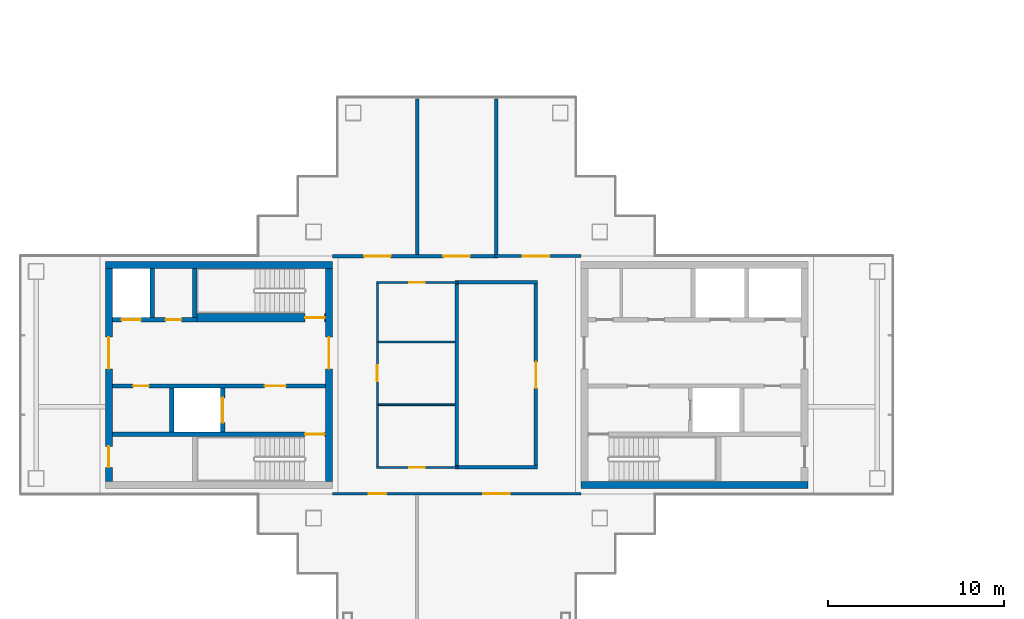
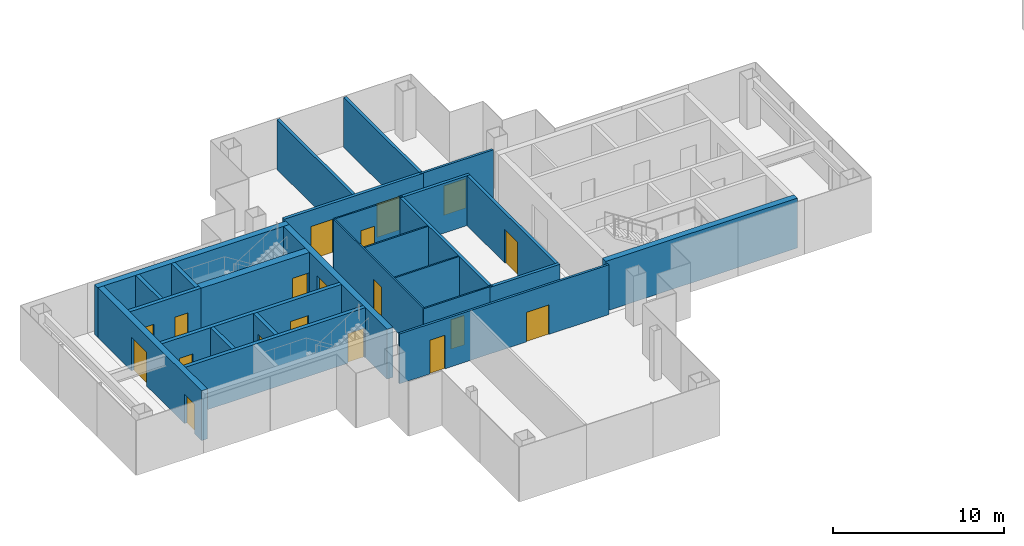
# One storey, part 9 of 16: 26 walls, 19 doors, 19 openings.
"""IFC4 building model written with IfcOpenShell, lengths in metres."""

from ifc_helpers import new_model, si_unit, direction, frame, frame_2d, origin, place, context, subcontext, project, spatial, rectangle, extrude, material, layer, layer_set, type_object, element, fill, save


model = new_model("IFC4")

# Units and contexts
model_context = context("Model", 3, precision=1e-05, world=origin(), true_north=direction((0.0, 1.0)))
body_context = subcontext(model_context, "Body", "Model", "MODEL_VIEW")
ifc_project = project(units=[si_unit("LENGTHUNIT", "METRE"), si_unit("AREAUNIT", "SQUARE_METRE"), si_unit("VOLUMEUNIT", "CUBIC_METRE"), si_unit("PLANEANGLEUNIT", "RADIAN"), si_unit("MASSUNIT", "GRAM", prefix="KILO")], contexts=[model_context])

# Site, building, storey
site_placement = place(None, origin())
site = spatial("IfcSite", under=ifc_project, at=site_placement, CompositionType="ELEMENT")
building_placement = place(site_placement, origin())
building = spatial("IfcBuilding", under=site, at=building_placement, Name="Shamsa Quay Exchange Towers", CompositionType="ELEMENT")
storey_placement = place(building_placement, frame((0.0, 0.0, 246.0)))
storey = spatial("IfcBuildingStorey", under=building, at=storey_placement, Name="L59", CompositionType="ELEMENT", Elevation=246.0)

# Wall
ifc_material_1 = material(Name="Double-leaf gypsum board partition with acoustic insulation")
ifc_layer_1 = layer(ifc_material_1, 0.199951171875)
ifc_layer_set_1 = layer_set([ifc_layer_1], Name="Acoustic partition 200 mm EI 60")
wall_type_1 = type_object("IfcWallType", Name="Acoustic partition 200 mm EI 60", PredefinedType="PARTITIONING", material=ifc_layer_set_1)
wall_1_placement = place(storey_placement, frame((-33.85009765625, -5.25, 0.0)))
element("IfcWall", 1, at=wall_1_placement, inside=storey, type_object=wall_type_1, Name="Partition T1-R26-W04", PredefinedType="PARTITIONING", context=body_context, shape_type="SweptSolid", body=[
    extrude(rectangle(XDim=4.7001953125, YDim=0.199951171875, at=frame_2d((2.35009765625, 0.0))), origin(), (0.0, 0.0, 1.0), 3.550048828125),
])

# Wall, opening, door
wall_2_placement = place(storey_placement, frame((-29.25, -5.14990234375, 0.0), z_axis=(0.0, 0.0, 1.0), x_axis=(0.0, 1.0, 0.0)))
wall_2 = element("IfcWall", 2, at=wall_2_placement, inside=storey, type_object=wall_type_1, Name="Partition T1-R26-W05", PredefinedType="PARTITIONING", context=body_context, shape_type="SweptSolid", body=[
    extrude(rectangle(XDim=10.2998046875, YDim=0.199951171875, at=frame_2d((5.14990234375, 0.0))), origin(), (0.0, 0.0, 1.0), 3.550048828125),
])
opening_1_placement = place(wall_2_placement, frame((4.39990234375, 0.0, 0.0)))
opening_1 = element("IfcOpeningElement", 3, at=opening_1_placement, cuts=wall_2, Name="Opening T1-R26-D07", PredefinedType="OPENING", context=body_context, shape_type="SweptSolid", body=[
    extrude(rectangle(XDim=1.5, YDim=2.39990234375, at=frame_2d((0.75, 1.199951171875))), frame((0.0, 0.10986328125, 0.0), z_axis=(0.0, -1.0, 0.0), x_axis=(1.0, 0.0, 0.0)), (0.0, 0.0, 1.0), 0.219970703125),
])
ifc_material_2 = material(Name="Timber door leaf in a metal frame", Category="wood")
door_type_1 = type_object("IfcDoorType", Name="Door 1500x2400 FD30S pair", OperationType="NOTDEFINED", PredefinedType="DOOR", material=ifc_material_2)
door_1_placement = place(opening_1_placement, origin())
door_1 = element("IfcDoor", 4, at=door_1_placement, inside=storey, type_object=door_type_1, Name="Door T1-R26-D07", OperationType="DOUBLE_DOOR_SINGLE_SWING", OverallHeight=2.39990234375, OverallWidth=1.5, PredefinedType="DOOR", context=body_context, shape_type="SweptSolid", body=[
    extrude(rectangle(XDim=1.5, YDim=2.39990234375, at=frame_2d((0.75, 1.199951171875))), frame((0.0, 0.02490234375, 0.0), z_axis=(0.0, -1.0, 0.0), x_axis=(1.0, 0.0, 0.0)), (0.0, 0.0, 1.0), 0.050048828125),
])
fill(opening_1, door_1)

# Wall
wall_3_placement = place(storey_placement, frame((-29.14990234375, 5.25, 0.0), z_axis=(0.0, 0.0, 1.0), x_axis=(-1.0, 0.0, 0.0)))
element("IfcWall", 5, at=wall_3_placement, inside=storey, type_object=wall_type_1, Name="Partition T1-R26-W06", PredefinedType="PARTITIONING", context=body_context, shape_type="SweptSolid", body=[
    extrude(rectangle(XDim=4.7001953125, YDim=0.199951171875, at=frame_2d((2.35009765625, 0.0))), origin(), (0.0, 0.0, 1.0), 3.550048828125),
])

# Wall, openings, doors
wall_4_placement = place(storey_placement, frame((-40.800048828125, 6.75, 0.0)))
wall_4 = element("IfcWall", 6, at=wall_4_placement, inside=storey, type_object=wall_type_1, Name="Partition T1-R26-W07", PredefinedType="PARTITIONING", context=body_context, shape_type="SweptSolid", body=[
    extrude(rectangle(XDim=9.400146484375, YDim=0.199951171875, at=frame_2d((4.7001953125, 0.0))), origin(), (0.0, 0.0, 1.0), 3.550048828125),
])
opening_2_placement = place(wall_4_placement, frame((1.800048828125, 0.0, 0.0)))
opening_2 = element("IfcOpeningElement", 7, at=opening_2_placement, cuts=wall_4, Name="Opening T1-R26-D01", PredefinedType="OPENING", context=body_context, shape_type="SweptSolid", body=[
    extrude(rectangle(XDim=1.5, YDim=2.39990234375, at=frame_2d((0.75, 1.199951171875))), frame((0.0, 0.10986328125, 0.0), z_axis=(0.0, -1.0, 0.0), x_axis=(1.0, 0.0, 0.0)), (0.0, 0.0, 1.0), 0.219970703125),
])
opening_3_placement = place(wall_4_placement, frame((6.300048828125, 0.0, 0.0)))
opening_3 = element("IfcOpeningElement", 8, at=opening_3_placement, cuts=wall_4, Name="Opening T1-R26-D02", PredefinedType="OPENING", context=body_context, shape_type="SweptSolid", body=[
    extrude(rectangle(XDim=1.5, YDim=2.39990234375, at=frame_2d((0.75, 1.199951171875))), frame((0.0, 0.10986328125, 0.0), z_axis=(0.0, -1.0, 0.0), x_axis=(1.0, 0.0, 0.0)), (0.0, 0.0, 1.0), 0.219970703125),
])
door_2_placement = place(opening_2_placement, origin())
door_2 = element("IfcDoor", 9, at=door_2_placement, inside=storey, type_object=door_type_1, Name="Door T1-R26-D01", OperationType="DOUBLE_DOOR_SINGLE_SWING", OverallHeight=2.39990234375, OverallWidth=1.5, PredefinedType="DOOR", context=body_context, shape_type="SweptSolid", body=[
    extrude(rectangle(XDim=1.5, YDim=2.39990234375, at=frame_2d((0.75, 1.199951171875))), frame((0.0, 0.02490234375, 0.0), z_axis=(0.0, -1.0, 0.0), x_axis=(1.0, 0.0, 0.0)), (0.0, 0.0, 1.0), 0.050048828125),
])
fill(opening_2, door_2)
door_3_placement = place(opening_3_placement, origin())
door_3 = element("IfcDoor", 10, at=door_3_placement, inside=storey, type_object=door_type_1, Name="Door T1-R26-D02", OperationType="DOUBLE_DOOR_SINGLE_SWING", OverallHeight=2.39990234375, OverallWidth=1.5, PredefinedType="DOOR", context=body_context, shape_type="SweptSolid", body=[
    extrude(rectangle(XDim=1.5, YDim=2.39990234375, at=frame_2d((0.75, 1.199951171875))), frame((0.0, 0.02490234375, 0.0), z_axis=(0.0, -1.0, 0.0), x_axis=(1.0, 0.0, 0.0)), (0.0, 0.0, 1.0), 0.050048828125),
])
fill(opening_3, door_3)

# Walls
wall_5_placement = place(storey_placement, frame((-33.75, -5.14990234375, 0.0), z_axis=(0.0, 0.0, 1.0), x_axis=(0.0, 1.0, 0.0)))
element("IfcWall", 11, at=wall_5_placement, inside=storey, type_object=wall_type_1, Name="Partition T1-R26-W11", PredefinedType="PARTITIONING", context=body_context, shape_type="SweptSolid", body=[
    extrude(rectangle(XDim=10.2998046875, YDim=0.199951171875, at=frame_2d((5.14990234375, 0.0))), origin(), (0.0, 0.0, 1.0), 3.550048828125),
])
for number, where, z_axis, x_axis, name in (
    (12, (-36.0, 6.85009765625, 0.0), (0.0, 0.0, 1.0), (0.0, 1.0, 0.0), "Partition T1-R26-W13"),
    (13, (-31.5, 6.85009765625, 0.0), (0.0, 0.0, 1.0), (0.0, 1.0, 0.0), "Partition T1-R26-W14"),
):
    element("IfcWall", number, at=place(storey_placement, frame(where, z_axis=z_axis, x_axis=x_axis)), inside=storey, type_object=wall_type_1, Name=name, PredefinedType="PARTITIONING", context=body_context, shape_type="SweptSolid", body=[
        extrude(rectangle(XDim=8.804931640625, YDim=0.199951171875, at=frame_2d((4.40234375, 0.0))), origin(), (0.0, 0.0, 1.0), 3.550048828125),
    ])
ifc_material_3 = material(Name="Concrete C60/75", Category="concrete")
ifc_layer_2 = layer(ifc_material_3, 0.39990234375)
ifc_layer_set_2 = layer_set([ifc_layer_2], Name="CORE WALL 400 C60/75")
wall_type_2 = type_object("IfcWallType", Name="CORE WALL 400 C60/75", PredefinedType="SHEAR", material=ifc_layer_set_2)
wall_6_placement = place(storey_placement, frame((-26.699951171875, -6.25, 0.0)))
element("IfcWall", 14, at=wall_6_placement, inside=storey, type_object=wall_type_2, Name="Core wall T1A-R26-PS", PredefinedType="SHEAR", context=body_context, shape_type="SweptSolid", body=[
    extrude(rectangle(XDim=12.89990234375, YDim=0.39990234375, at=frame_2d((6.449951171875, 0.0))), origin(), (0.0, 0.0, 1.0), 3.550048828125),
])
wall_7_placement = place(storey_placement, frame((-40.800048828125, 6.25, 0.0), z_axis=(0.0, 0.0, 1.0), x_axis=(-1.0, 0.0, 0.0)))
element("IfcWall", 15, at=wall_7_placement, inside=storey, type_object=wall_type_2, Name="Core wall T1B-R26-PN", PredefinedType="SHEAR", context=body_context, shape_type="SweptSolid", body=[
    extrude(rectangle(XDim=12.89990234375, YDim=0.39990234375, at=frame_2d((6.449951171875, 0.0))), origin(), (0.0, 0.0, 1.0), 3.550048828125),
])

# Wall, opening, door
wall_8_placement = place(storey_placement, frame((-41.0, -6.050048828125, 0.0), z_axis=(0.0, 0.0, 1.0), x_axis=(0.0, 1.0, 0.0)))
wall_8 = element("IfcWall", 16, at=wall_8_placement, inside=storey, type_object=wall_type_2, Name="Core wall T1B-R26-PF", PredefinedType="SHEAR", context=body_context, shape_type="SweptSolid", body=[
    extrude(rectangle(XDim=12.10009765625, YDim=0.39990234375, at=frame_2d((6.050048828125, 0.0))), origin(), (0.0, 0.0, 1.0), 3.550048828125),
])
opening_4_placement = place(wall_8_placement, frame((6.39990234375, 0.0, 0.0)))
opening_4 = element("IfcOpeningElement", 17, at=opening_4_placement, cuts=wall_8, Name="Opening T1B-R26-LBD01", PredefinedType="OPENING", context=body_context, shape_type="SweptSolid", body=[
    extrude(rectangle(XDim=1.800048828125, YDim=2.39990234375, at=frame_2d((0.89990234375, 1.199951171875))), frame((0.0, 0.2099609375, 0.0), z_axis=(0.0, -1.0, 0.0), x_axis=(1.0, 0.0, 0.0)), (0.0, 0.0, 1.0), 0.419921875),
])
ifc_material_4 = material(Name="Steel, fire rated", Category="steel")
door_type_2 = type_object("IfcDoorType", Name="LIFT LOBBY DOOR PAIR 1800", OperationType="DOUBLE_DOOR_SINGLE_SWING", PredefinedType="DOOR", material=ifc_material_4)
door_4_placement = place(opening_4_placement, origin())
door_4 = element("IfcDoor", 18, at=door_4_placement, inside=storey, type_object=door_type_2, Name="T1B-R26-LBD01", OperationType="DOUBLE_DOOR_SINGLE_SWING", OverallHeight=2.39990234375, OverallWidth=1.800048828125, PredefinedType="DOOR", context=body_context, shape_type="SweptSolid", body=[
    extrude(rectangle(XDim=1.800048828125, YDim=2.39990234375, at=frame_2d((0.89990234375, 1.199951171875))), frame((0.0, 0.02490234375, 0.0), z_axis=(0.0, -1.0, 0.0), x_axis=(1.0, 0.0, 0.0)), (0.0, 0.0, 1.0), 0.050048828125),
])
fill(opening_4, door_4)

# Wall, openings, doors
wall_9_placement = place(storey_placement, frame((-53.5, -6.050048828125, 0.0), z_axis=(0.0, 0.0, 1.0), x_axis=(0.0, 1.0, 0.0)))
wall_9 = element("IfcWall", 19, at=wall_9_placement, inside=storey, type_object=wall_type_2, Name="Core wall T1B-R26-PB", PredefinedType="SHEAR", context=body_context, shape_type="SweptSolid", body=[
    extrude(rectangle(XDim=12.10009765625, YDim=0.39990234375, at=frame_2d((6.050048828125, 0.0))), origin(), (0.0, 0.0, 1.0), 3.550048828125),
])
opening_5_placement = place(wall_9_placement, frame((0.800048828125, 0.0, 0.0)))
opening_5 = element("IfcOpeningElement", 20, at=opening_5_placement, cuts=wall_9, Name="Opening T1B-R26-RD02", PredefinedType="OPENING", context=body_context, shape_type="SweptSolid", body=[
    extrude(rectangle(XDim=1.199951171875, YDim=2.10009765625, at=frame_2d((0.60009765625, 1.050048828125))), frame((0.0, 0.2099609375, 0.0), z_axis=(0.0, -1.0, 0.0), x_axis=(1.0, 0.0, 0.0)), (0.0, 0.0, 1.0), 0.419921875),
])
opening_6_placement = place(wall_9_placement, frame((6.39990234375, 0.0, 0.0)))
opening_6 = element("IfcOpeningElement", 21, at=opening_6_placement, cuts=wall_9, Name="Opening T1B-R26-LBD03", PredefinedType="OPENING", context=body_context, shape_type="SweptSolid", body=[
    extrude(rectangle(XDim=1.800048828125, YDim=2.39990234375, at=frame_2d((0.89990234375, 1.199951171875))), frame((0.0, 0.2099609375, 0.0), z_axis=(0.0, -1.0, 0.0), x_axis=(1.0, 0.0, 0.0)), (0.0, 0.0, 1.0), 0.419921875),
])
door_5_placement = place(opening_6_placement, origin())
door_5 = element("IfcDoor", 22, at=door_5_placement, inside=storey, type_object=door_type_2, Name="T1B-R26-LBD03", OperationType="DOUBLE_DOOR_SINGLE_SWING", OverallHeight=2.39990234375, OverallWidth=1.800048828125, PredefinedType="DOOR", context=body_context, shape_type="SweptSolid", body=[
    extrude(rectangle(XDim=1.800048828125, YDim=2.39990234375, at=frame_2d((0.89990234375, 1.199951171875))), frame((0.0, 0.02490234375, 0.0), z_axis=(0.0, -1.0, 0.0), x_axis=(1.0, 0.0, 0.0)), (0.0, 0.0, 1.0), 0.050048828125),
])
fill(opening_6, door_5)
door_type_3 = type_object("IfcDoorType", Name="RISER ACCESS DOOR 1200", OperationType="SINGLE_SWING_LEFT", PredefinedType="DOOR", material=ifc_material_4)
door_6_placement = place(opening_5_placement, origin())
door_6 = element("IfcDoor", 23, at=door_6_placement, inside=storey, type_object=door_type_3, Name="T1B-R26-RD02", OperationType="SINGLE_SWING_LEFT", OverallHeight=2.10009765625, OverallWidth=1.199951171875, PredefinedType="DOOR", context=body_context, shape_type="SweptSolid", body=[
    extrude(rectangle(XDim=1.199951171875, YDim=2.10009765625, at=frame_2d((0.60009765625, 1.050048828125))), frame((0.0, 0.02490234375, 0.0), z_axis=(0.0, -1.0, 0.0), x_axis=(1.0, 0.0, 0.0)), (0.0, 0.0, 1.0), 0.050048828125),
])
fill(opening_5, door_6)

# Wall, opening, door
ifc_material_5 = material(Name="Gypsum board partition on metal studs")
ifc_layer_3 = layer(ifc_material_5, 0.10009765625)
ifc_layer_set_3 = layer_set([ifc_layer_3], Name="Partition 100 mm NOT RATED")
wall_type_3 = type_object("IfcWallType", Name="Partition 100 mm NOT RATED", PredefinedType="PARTITIONING", material=ifc_layer_set_3)
wall_10_placement = place(storey_placement, frame((-38.25, 5.199951171875, 0.0), z_axis=(0.0, 0.0, 1.0), x_axis=(0.0, -1.0, 0.0)))
wall_10 = element("IfcWall", 24, at=wall_10_placement, inside=storey, type_object=wall_type_3, Name="Partition T1-R26-W01", PredefinedType="PARTITIONING", context=body_context, shape_type="SweptSolid", body=[
    extrude(rectangle(XDim=10.39990234375, YDim=0.10009765625, at=frame_2d((5.199951171875, 0.0))), origin(), (0.0, 0.0, 1.0), 3.550048828125),
])
opening_7_placement = place(wall_10_placement, frame((4.65625, 0.0, 0.0)))
opening_7 = element("IfcOpeningElement", 25, at=opening_7_placement, cuts=wall_10, Name="Opening T1-R26-D04", PredefinedType="OPENING", context=body_context, shape_type="SweptSolid", body=[
    extrude(rectangle(XDim=0.89990234375, YDim=2.10009765625, at=frame_2d((0.449951171875, 1.050048828125))), frame((0.0, 0.06005859375, 0.0), z_axis=(0.0, -1.0, 0.0), x_axis=(1.0, 0.0, 0.0)), (0.0, 0.0, 1.0), 0.1201171875),
])
door_type_4 = type_object("IfcDoorType", Name="Door 900x2100 NOT RATED", OperationType="NOTDEFINED", PredefinedType="DOOR", material=ifc_material_2)
door_7_placement = place(opening_7_placement, origin())
door_7 = element("IfcDoor", 26, at=door_7_placement, inside=storey, type_object=door_type_4, Name="Door T1-R26-D04", OperationType="SINGLE_SWING_LEFT", OverallHeight=2.10009765625, OverallWidth=0.89990234375, PredefinedType="DOOR", context=body_context, shape_type="SweptSolid", body=[
    extrude(rectangle(XDim=0.89990234375, YDim=2.10009765625, at=frame_2d((0.449951171875, 1.050048828125))), frame((0.0, 0.02490234375, 0.0), z_axis=(0.0, -1.0, 0.0), x_axis=(1.0, 0.0, 0.0)), (0.0, 0.0, 1.0), 0.050048828125),
])
fill(opening_7, door_7)

wall_11_placement = place(storey_placement, frame((-38.300048828125, -5.25, 0.0)))
wall_11 = element("IfcWall", 27, at=wall_11_placement, inside=storey, type_object=wall_type_3, Name="Partition T1-R26-W02", PredefinedType="PARTITIONING", context=body_context, shape_type="SweptSolid", body=[
    extrude(rectangle(XDim=4.650146484375, YDim=0.10009765625, at=frame_2d((2.3251953125, 0.0))), origin(), (0.0, 0.0, 1.0), 3.550048828125),
])
opening_8_placement = place(wall_11_placement, frame((1.85009765625, 0.0, 0.0)))
opening_8 = element("IfcOpeningElement", 28, at=opening_8_placement, cuts=wall_11, Name="Opening T1-R26-D03", PredefinedType="OPENING", context=body_context, shape_type="SweptSolid", body=[
    extrude(rectangle(XDim=0.89990234375, YDim=2.10009765625, at=frame_2d((0.449951171875, 1.050048828125))), frame((0.0, 0.06005859375, 0.0), z_axis=(0.0, -1.0, 0.0), x_axis=(1.0, 0.0, 0.0)), (0.0, 0.0, 1.0), 0.1201171875),
])
door_8_placement = place(opening_8_placement, origin())
door_8 = element("IfcDoor", 29, at=door_8_placement, inside=storey, type_object=door_type_4, Name="Door T1-R26-D03", OperationType="SINGLE_SWING_LEFT", OverallHeight=2.10009765625, OverallWidth=0.89990234375, PredefinedType="DOOR", context=body_context, shape_type="SweptSolid", body=[
    extrude(rectangle(XDim=0.89990234375, YDim=2.10009765625, at=frame_2d((0.449951171875, 1.050048828125))), frame((0.0, 0.02490234375, 0.0), z_axis=(0.0, -1.0, 0.0), x_axis=(1.0, 0.0, 0.0)), (0.0, 0.0, 1.0), 0.050048828125),
])
fill(opening_8, door_8)

wall_12_placement = place(storey_placement, frame((-33.64990234375, 5.25, 0.0), z_axis=(0.0, 0.0, 1.0), x_axis=(-1.0, 0.0, 0.0)))
wall_12 = element("IfcWall", 30, at=wall_12_placement, inside=storey, type_object=wall_type_3, Name="Partition T1-R26-W03", PredefinedType="PARTITIONING", context=body_context, shape_type="SweptSolid", body=[
    extrude(rectangle(XDim=4.650146484375, YDim=0.10009765625, at=frame_2d((2.3251953125, 0.0))), origin(), (0.0, 0.0, 1.0), 3.550048828125),
])
opening_9_placement = place(wall_12_placement, frame((1.89990234375, 0.0, 0.0)))
opening_9 = element("IfcOpeningElement", 31, at=opening_9_placement, cuts=wall_12, Name="Opening T1-R26-D05", PredefinedType="OPENING", context=body_context, shape_type="SweptSolid", body=[
    extrude(rectangle(XDim=0.89990234375, YDim=2.10009765625, at=frame_2d((0.449951171875, 1.050048828125))), frame((0.0, 0.06005859375, 0.0), z_axis=(0.0, -1.0, 0.0), x_axis=(1.0, 0.0, 0.0)), (0.0, 0.0, 1.0), 0.1201171875),
])
door_9_placement = place(opening_9_placement, origin())
door_9 = element("IfcDoor", 32, at=door_9_placement, inside=storey, type_object=door_type_4, Name="Door T1-R26-D05", OperationType="SINGLE_SWING_RIGHT", OverallHeight=2.10009765625, OverallWidth=0.89990234375, PredefinedType="DOOR", context=body_context, shape_type="SweptSolid", body=[
    extrude(rectangle(XDim=0.89990234375, YDim=2.10009765625, at=frame_2d((0.449951171875, 1.050048828125))), frame((0.0, 0.02490234375, 0.0), z_axis=(0.0, -1.0, 0.0), x_axis=(1.0, 0.0, 0.0)), (0.0, 0.0, 1.0), 0.050048828125),
])
fill(opening_9, door_9)

# Walls
for number, where, z_axis, x_axis, name in (
    (33, (-33.85009765625, -1.6875, 0.0), (0.0, 0.0, 1.0), (-1.0, 0.0, 0.0), "Partition T1-R26-W10"),
    (34, (-33.85009765625, 1.875, 0.0), (0.0, 0.0, 1.0), (-1.0, 0.0, 0.0), "Partition T1-R26-W12"),
):
    element("IfcWall", number, at=place(storey_placement, frame(where, z_axis=z_axis, x_axis=x_axis)), inside=storey, type_object=wall_type_3, Name=name, PredefinedType="PARTITIONING", context=body_context, shape_type="SweptSolid", body=[
        extrude(rectangle(XDim=4.349853515625, YDim=0.10009765625, at=frame_2d((2.1748046875, 0.0))), origin(), (0.0, 0.0, 1.0), 3.550048828125),
    ])

# Wall, opening, door
ifc_layer_4 = layer(ifc_material_5, 0.14990234375)
ifc_layer_set_4 = layer_set([ifc_layer_4], Name="Partition 150 mm EI 60")
wall_type_4 = type_object("IfcWallType", Name="Partition 150 mm EI 60", PredefinedType="PARTITIONING", material=ifc_layer_set_4)
wall_13_placement = place(storey_placement, frame((-31.60009765625, 6.75, 0.0)))
wall_13 = element("IfcWall", 35, at=wall_13_placement, inside=storey, type_object=wall_type_4, Name="Partition T1-R26-W08", PredefinedType="PARTITIONING", context=body_context, shape_type="SweptSolid", body=[
    extrude(rectangle(XDim=4.900146484375, YDim=0.14990234375, at=frame_2d((2.4501953125, 0.0))), origin(), (0.0, 0.0, 1.0), 3.550048828125),
])
opening_10_placement = place(wall_13_placement, frame((1.60009765625, 0.0, 0.0)))
opening_10 = element("IfcOpeningElement", 36, at=opening_10_placement, cuts=wall_13, Name="Opening T1-R26-D06", PredefinedType="OPENING", context=body_context, shape_type="SweptSolid", body=[
    extrude(rectangle(XDim=1.5, YDim=2.10009765625, at=frame_2d((0.75, 1.050048828125))), frame((0.0, 0.0849609375, 0.0), z_axis=(0.0, -1.0, 0.0), x_axis=(1.0, 0.0, 0.0)), (0.0, 0.0, 1.0), 0.169921875),
])
door_type_5 = type_object("IfcDoorType", Name="Door 1500x2100 FD30S pair", OperationType="NOTDEFINED", PredefinedType="DOOR", material=ifc_material_2)
door_10_placement = place(opening_10_placement, origin())
door_10 = element("IfcDoor", 37, at=door_10_placement, inside=storey, type_object=door_type_5, Name="Door T1-R26-D06", OperationType="DOUBLE_DOOR_SINGLE_SWING", OverallHeight=2.10009765625, OverallWidth=1.5, PredefinedType="DOOR", context=body_context, shape_type="SweptSolid", body=[
    extrude(rectangle(XDim=1.5, YDim=2.10009765625, at=frame_2d((0.75, 1.050048828125))), frame((0.0, 0.02490234375, 0.0), z_axis=(0.0, -1.0, 0.0), x_axis=(1.0, 0.0, 0.0)), (0.0, 0.0, 1.0), 0.050048828125),
])
fill(opening_10, door_10)

# Wall, openings, doors
wall_14_placement = place(storey_placement, frame((-26.699951171875, -6.75, 0.0), z_axis=(0.0, 0.0, 1.0), x_axis=(-1.0, 0.0, 0.0)))
wall_14 = element("IfcWall", 38, at=wall_14_placement, inside=storey, type_object=wall_type_4, Name="Partition T1-R26-W09", PredefinedType="PARTITIONING", context=body_context, shape_type="SweptSolid", body=[
    extrude(rectangle(XDim=14.10009765625, YDim=0.14990234375, at=frame_2d((7.050048828125, 0.0))), origin(), (0.0, 0.0, 1.0), 3.550048828125),
])
opening_11_placement = place(wall_14_placement, frame((4.050048828125, 0.0, 0.0)))
opening_11 = element("IfcOpeningElement", 39, at=opening_11_placement, cuts=wall_14, Name="Opening T1-R26-D08", PredefinedType="OPENING", context=body_context, shape_type="SweptSolid", body=[
    extrude(rectangle(XDim=1.5, YDim=2.10009765625, at=frame_2d((0.75, 1.050048828125))), frame((0.0, 0.0849609375, 0.0), z_axis=(0.0, -1.0, 0.0), x_axis=(1.0, 0.0, 0.0)), (0.0, 0.0, 1.0), 0.169921875),
])
opening_12_placement = place(wall_14_placement, frame((11.050048828125, 0.0, 0.0)))
opening_12 = element("IfcOpeningElement", 40, at=opening_12_placement, cuts=wall_14, Name="Opening T1-R26-D09", PredefinedType="OPENING", context=body_context, shape_type="SweptSolid", body=[
    extrude(rectangle(XDim=1.0, YDim=2.39990234375, at=frame_2d((0.5, 1.199951171875))), frame((0.0, 0.0849609375, 0.0), z_axis=(0.0, -1.0, 0.0), x_axis=(1.0, 0.0, 0.0)), (0.0, 0.0, 1.0), 0.169921875),
])
door_type_6 = type_object("IfcDoorType", Name="Door 1000x2400 FD30S", OperationType="NOTDEFINED", PredefinedType="DOOR", material=ifc_material_2)
door_11_placement = place(opening_12_placement, origin())
door_11 = element("IfcDoor", 41, at=door_11_placement, inside=storey, type_object=door_type_6, Name="Door T1-R26-D09", OperationType="SINGLE_SWING_RIGHT", OverallHeight=2.39990234375, OverallWidth=1.0, PredefinedType="DOOR", context=body_context, shape_type="SweptSolid", body=[
    extrude(rectangle(XDim=1.0, YDim=2.39990234375, at=frame_2d((0.5, 1.199951171875))), frame((0.0, 0.02490234375, 0.0), z_axis=(0.0, -1.0, 0.0), x_axis=(1.0, 0.0, 0.0)), (0.0, 0.0, 1.0), 0.050048828125),
])
fill(opening_12, door_11)
door_12_placement = place(opening_11_placement, origin())
door_12 = element("IfcDoor", 42, at=door_12_placement, inside=storey, type_object=door_type_5, Name="Door T1-R26-D08", OperationType="DOUBLE_DOOR_SINGLE_SWING", OverallHeight=2.10009765625, OverallWidth=1.5, PredefinedType="DOOR", context=body_context, shape_type="SweptSolid", body=[
    extrude(rectangle(XDim=1.5, YDim=2.10009765625, at=frame_2d((0.75, 1.050048828125))), frame((0.0, 0.02490234375, 0.0), z_axis=(0.0, -1.0, 0.0), x_axis=(1.0, 0.0, 0.0)), (0.0, 0.0, 1.0), 0.050048828125),
])
fill(opening_11, door_12)

# Wall, opening, door
ifc_material_6 = material(Name="Concrete C50/60", Category="concrete")
ifc_layer_5 = layer(ifc_material_6, 0.25)
ifc_layer_set_5 = layer_set([ifc_layer_5], Name="SHAFT WALL 250 C50/60")
wall_type_5 = type_object("IfcWallType", Name="SHAFT WALL 250 C50/60", PredefinedType="SHEAR", material=ifc_layer_set_5)
wall_15_placement = place(storey_placement, frame((-41.199951171875, -3.375, 0.0), z_axis=(0.0, 0.0, 1.0), x_axis=(-1.0, 0.0, 0.0)))
wall_15 = element("IfcWall", 43, at=wall_15_placement, inside=storey, type_object=wall_type_5, Name="Shaft wall T1B-R26-STL", PredefinedType="SHEAR", context=body_context, shape_type="SweptSolid", body=[
    extrude(rectangle(XDim=12.10009765625, YDim=0.25, at=frame_2d((6.050048828125, 0.0))), origin(), (0.0, 0.0, 1.0), 3.550048828125),
])
opening_13_placement = place(wall_15_placement, frame((0.050048828125, 0.0, 0.0)))
opening_13 = element("IfcOpeningElement", 44, at=opening_13_placement, cuts=wall_15, Name="Opening T1B-R26-SD04", PredefinedType="OPENING", context=body_context, shape_type="SweptSolid", body=[
    extrude(rectangle(XDim=1.10009765625, YDim=2.10009765625, at=frame_2d((0.550048828125, 1.050048828125))), frame((0.0, 0.135009765625, 0.0), z_axis=(0.0, -1.0, 0.0), x_axis=(1.0, 0.0, 0.0)), (0.0, 0.0, 1.0), 0.27001953125),
])
door_type_7 = type_object("IfcDoorType", Name="STAIR DOOR 1100", OperationType="SINGLE_SWING_LEFT", PredefinedType="DOOR", material=ifc_material_4)
door_13_placement = place(opening_13_placement, origin())
door_13 = element("IfcDoor", 45, at=door_13_placement, inside=storey, type_object=door_type_7, Name="T1B-R26-SD04", OperationType="SINGLE_SWING_LEFT", OverallHeight=2.10009765625, OverallWidth=1.10009765625, PredefinedType="DOOR", context=body_context, shape_type="SweptSolid", body=[
    extrude(rectangle(XDim=1.10009765625, YDim=2.10009765625, at=frame_2d((0.550048828125, 1.050048828125))), frame((0.0, 0.02490234375, 0.0), z_axis=(0.0, -1.0, 0.0), x_axis=(1.0, 0.0, 0.0)), (0.0, 0.0, 1.0), 0.050048828125),
])
fill(opening_13, door_13)

# Wall, openings, doors
wall_16_placement = place(storey_placement, frame((-41.199951171875, -0.625, 0.0), z_axis=(0.0, 0.0, 1.0), x_axis=(-1.0, 0.0, 0.0)))
wall_16 = element("IfcWall", 46, at=wall_16_placement, inside=storey, type_object=wall_type_5, Name="Shaft wall T1B-R26-B", PredefinedType="SHEAR", context=body_context, shape_type="SweptSolid", body=[
    extrude(rectangle(XDim=12.10009765625, YDim=0.25, at=frame_2d((6.050048828125, 0.0))), origin(), (0.0, 0.0, 1.0), 3.550048828125),
])
opening_14_placement = place(wall_16_placement, frame((2.25, 0.0, 0.0)))
opening_14 = element("IfcOpeningElement", 47, at=opening_14_placement, cuts=wall_16, Name="Opening T1B-R26-FD05", PredefinedType="OPENING", context=body_context, shape_type="SweptSolid", body=[
    extrude(rectangle(XDim=1.199951171875, YDim=2.10009765625, at=frame_2d((0.60009765625, 1.050048828125))), frame((0.0, 0.135009765625, 0.0), z_axis=(0.0, -1.0, 0.0), x_axis=(1.0, 0.0, 0.0)), (0.0, 0.0, 1.0), 0.27001953125),
])
opening_15_placement = place(wall_16_placement, frame((10.02490234375, 0.0, 0.0)))
opening_15 = element("IfcOpeningElement", 48, at=opening_15_placement, cuts=wall_16, Name="Opening T1B-R26-SV06", PredefinedType="OPENING", context=body_context, shape_type="SweptSolid", body=[
    extrude(rectangle(XDim=0.89990234375, YDim=2.10009765625, at=frame_2d((0.449951171875, 1.050048828125))), frame((0.0, 0.135009765625, 0.0), z_axis=(0.0, -1.0, 0.0), x_axis=(1.0, 0.0, 0.0)), (0.0, 0.0, 1.0), 0.27001953125),
])
door_type_8 = type_object("IfcDoorType", Name="FIRE SERVICE LOBBY DOOR 1200", OperationType="SINGLE_SWING_LEFT", PredefinedType="DOOR", material=ifc_material_4)
door_14_placement = place(opening_14_placement, origin())
door_14 = element("IfcDoor", 49, at=door_14_placement, inside=storey, type_object=door_type_8, Name="T1B-R26-FD05", OperationType="SINGLE_SWING_LEFT", OverallHeight=2.10009765625, OverallWidth=1.199951171875, PredefinedType="DOOR", context=body_context, shape_type="SweptSolid", body=[
    extrude(rectangle(XDim=1.199951171875, YDim=2.10009765625, at=frame_2d((0.60009765625, 1.050048828125))), frame((0.0, 0.02490234375, 0.0), z_axis=(0.0, -1.0, 0.0), x_axis=(1.0, 0.0, 0.0)), (0.0, 0.0, 1.0), 0.050048828125),
])
fill(opening_14, door_14)
door_type_9 = type_object("IfcDoorType", Name="SERVICE ROOM DOOR 900", OperationType="SINGLE_SWING_LEFT", PredefinedType="DOOR", material=ifc_material_4)
door_15_placement = place(opening_15_placement, origin())
door_15 = element("IfcDoor", 50, at=door_15_placement, inside=storey, type_object=door_type_9, Name="T1B-R26-SV06", OperationType="SINGLE_SWING_RIGHT", OverallHeight=2.10009765625, OverallWidth=0.89990234375, PredefinedType="DOOR", context=body_context, shape_type="SweptSolid", body=[
    extrude(rectangle(XDim=0.89990234375, YDim=2.10009765625, at=frame_2d((0.449951171875, 1.050048828125))), frame((0.0, 0.02490234375, 0.0), z_axis=(0.0, -1.0, 0.0), x_axis=(1.0, 0.0, 0.0)), (0.0, 0.0, 1.0), 0.050048828125),
])
fill(opening_15, door_15)

# Wall, opening, door
wall_17_placement = place(storey_placement, frame((-47.02490234375, -3.25, 0.0), z_axis=(0.0, 0.0, 1.0), x_axis=(0.0, 1.0, 0.0)))
wall_17 = element("IfcWall", 51, at=wall_17_placement, inside=storey, type_object=wall_type_5, Name="Shaft wall T1B-R26-FFF", PredefinedType="SHEAR", context=body_context, shape_type="SweptSolid", body=[
    extrude(rectangle(XDim=2.5, YDim=0.25, at=frame_2d((1.25, 0.0))), origin(), (0.0, 0.0, 1.0), 3.550048828125),
])
opening_16_placement = place(wall_17_placement, frame((0.550048828125, 0.0, 0.0)))
opening_16 = element("IfcOpeningElement", 52, at=opening_16_placement, cuts=wall_17, Name="Opening T1B-R26-LDG07", PredefinedType="OPENING", context=body_context, shape_type="SweptSolid", body=[
    extrude(rectangle(XDim=1.39990234375, YDim=2.39990234375, at=frame_2d((0.699951171875, 1.199951171875))), frame((0.0, 0.135009765625, 0.0), z_axis=(0.0, -1.0, 0.0), x_axis=(1.0, 0.0, 0.0)), (0.0, 0.0, 1.0), 0.27001953125),
])
door_type_10 = type_object("IfcDoorType", Name="GOODS LIFT LANDING DOOR 1400", OperationType="SLIDING_TO_LEFT", PredefinedType="DOOR", material=ifc_material_4)
door_16_placement = place(opening_16_placement, origin())
door_16 = element("IfcDoor", 53, at=door_16_placement, inside=storey, type_object=door_type_10, Name="T1B-R26-LDG07", OperationType="SLIDING_TO_LEFT", OverallHeight=2.39990234375, OverallWidth=1.39990234375, PredefinedType="DOOR", context=body_context, shape_type="SweptSolid", body=[
    extrude(rectangle(XDim=1.39990234375, YDim=2.39990234375, at=frame_2d((0.699951171875, 1.199951171875))), frame((0.0, 0.02490234375, 0.0), z_axis=(0.0, -1.0, 0.0), x_axis=(1.0, 0.0, 0.0)), (0.0, 0.0, 1.0), 0.050048828125),
])
fill(opening_16, door_16)

# Wall
wall_18_placement = place(storey_placement, frame((-49.925048828125, -3.25, 0.0), z_axis=(0.0, 0.0, 1.0), x_axis=(0.0, 1.0, 0.0)))
element("IfcWall", 54, at=wall_18_placement, inside=storey, type_object=wall_type_5, Name="Shaft wall T1B-R26-FFB", PredefinedType="SHEAR", context=body_context, shape_type="SweptSolid", body=[
    extrude(rectangle(XDim=2.5, YDim=0.25, at=frame_2d((1.25, 0.0))), origin(), (0.0, 0.0, 1.0), 3.550048828125),
])

# Wall, openings, doors
wall_19_placement = place(storey_placement, frame((-53.300048828125, 3.125, 0.0)))
wall_19 = element("IfcWall", 55, at=wall_19_placement, inside=storey, type_object=wall_type_5, Name="Shaft wall T1B-R26-N2", PredefinedType="SHEAR", context=body_context, shape_type="SweptSolid", body=[
    extrude(rectangle(XDim=4.800048828125, YDim=0.25, at=frame_2d((2.39990234375, 0.0))), origin(), (0.0, 0.0, 1.0), 3.550048828125),
])
opening_17_placement = place(wall_19_placement, frame((0.52490234375, 0.0, 0.0)))
opening_17 = element("IfcOpeningElement", 56, at=opening_17_placement, cuts=wall_19, Name="Opening T1B-R26-LD09", PredefinedType="OPENING", context=body_context, shape_type="SweptSolid", body=[
    extrude(rectangle(XDim=1.10009765625, YDim=2.10009765625, at=frame_2d((0.550048828125, 1.050048828125))), frame((0.0, 0.135009765625, 0.0), z_axis=(0.0, -1.0, 0.0), x_axis=(1.0, 0.0, 0.0)), (0.0, 0.0, 1.0), 0.27001953125),
])
opening_18_placement = place(wall_19_placement, frame((3.02490234375, 0.0, 0.0)))
opening_18 = element("IfcOpeningElement", 57, at=opening_18_placement, cuts=wall_19, Name="Opening T1B-R26-SV10", PredefinedType="OPENING", context=body_context, shape_type="SweptSolid", body=[
    extrude(rectangle(XDim=0.89990234375, YDim=2.10009765625, at=frame_2d((0.449951171875, 1.050048828125))), frame((0.0, 0.135009765625, 0.0), z_axis=(0.0, -1.0, 0.0), x_axis=(1.0, 0.0, 0.0)), (0.0, 0.0, 1.0), 0.27001953125),
])
door_type_11 = type_object("IfcDoorType", Name="LANDING DOOR 1100", OperationType="SLIDING_TO_LEFT", PredefinedType="DOOR", material=ifc_material_4)
door_17_placement = place(opening_17_placement, origin())
door_17 = element("IfcDoor", 58, at=door_17_placement, inside=storey, type_object=door_type_11, Name="T1B-R26-LD09", OperationType="SLIDING_TO_LEFT", OverallHeight=2.10009765625, OverallWidth=1.10009765625, PredefinedType="DOOR", context=body_context, shape_type="SweptSolid", body=[
    extrude(rectangle(XDim=1.10009765625, YDim=2.10009765625, at=frame_2d((0.550048828125, 1.050048828125))), frame((0.0, 0.02490234375, 0.0), z_axis=(0.0, -1.0, 0.0), x_axis=(1.0, 0.0, 0.0)), (0.0, 0.0, 1.0), 0.050048828125),
])
fill(opening_17, door_17)
door_18_placement = place(opening_18_placement, origin())
door_18 = element("IfcDoor", 59, at=door_18_placement, inside=storey, type_object=door_type_9, Name="T1B-R26-SV10", OperationType="SINGLE_SWING_RIGHT", OverallHeight=2.10009765625, OverallWidth=0.89990234375, PredefinedType="DOOR", context=body_context, shape_type="SweptSolid", body=[
    extrude(rectangle(XDim=0.89990234375, YDim=2.10009765625, at=frame_2d((0.449951171875, 1.050048828125))), frame((0.0, 0.02490234375, 0.0), z_axis=(0.0, -1.0, 0.0), x_axis=(1.0, 0.0, 0.0)), (0.0, 0.0, 1.0), 0.050048828125),
])
fill(opening_18, door_18)

# Walls
for number, where, z_axis, x_axis, name in (
    (60, (-48.625, 3.25, 0.0), (0.0, 0.0, 1.0), (0.0, 1.0, 0.0), "Shaft wall T1B-R26-STF2"),
    (61, (-51.02490234375, 3.25, 0.0), (0.0, 0.0, 1.0), (0.0, 1.0, 0.0), "Shaft wall T1B-R26-D0"),
):
    element("IfcWall", number, at=place(storey_placement, frame(where, z_axis=z_axis, x_axis=x_axis)), inside=storey, type_object=wall_type_5, Name=name, PredefinedType="SHEAR", context=body_context, shape_type="SweptSolid", body=[
        extrude(rectangle(XDim=2.800048828125, YDim=0.25, at=frame_2d((1.39990234375, 0.0))), origin(), (0.0, 0.0, 1.0), 3.550048828125),
    ])

# Wall, opening, door
ifc_layer_6 = layer(ifc_material_6, 0.5)
ifc_layer_set_6 = layer_set([ifc_layer_6], Name="SHAFT WALL 500 C50/60")
wall_type_6 = type_object("IfcWallType", Name="SHAFT WALL 500 C50/60", PredefinedType="SHEAR", material=ifc_layer_set_6)
wall_20_placement = place(storey_placement, frame((-48.5, 3.25, 0.0)))
wall_20 = element("IfcWall", 62, at=wall_20_placement, inside=storey, type_object=wall_type_6, Name="Shaft wall T1B-R26-N", PredefinedType="SHEAR", context=body_context, shape_type="SweptSolid", body=[
    extrude(rectangle(XDim=7.300048828125, YDim=0.5, at=frame_2d((3.64990234375, 0.0))), origin(), (0.0, 0.0, 1.0), 3.550048828125),
])
opening_19_placement = place(wall_20_placement, frame((6.14990234375, 0.0, 0.0)))
opening_19 = element("IfcOpeningElement", 63, at=opening_19_placement, cuts=wall_20, Name="Opening T1B-R26-SD08", PredefinedType="OPENING", context=body_context, shape_type="SweptSolid", body=[
    extrude(rectangle(XDim=1.10009765625, YDim=2.10009765625, at=frame_2d((0.550048828125, 1.050048828125))), frame((0.0, 0.260009765625, 0.0), z_axis=(0.0, -1.0, 0.0), x_axis=(1.0, 0.0, 0.0)), (0.0, 0.0, 1.0), 0.52001953125),
])
door_19_placement = place(opening_19_placement, origin())
door_19 = element("IfcDoor", 64, at=door_19_placement, inside=storey, type_object=door_type_7, Name="T1B-R26-SD08", OperationType="SINGLE_SWING_RIGHT", OverallHeight=2.10009765625, OverallWidth=1.10009765625, PredefinedType="DOOR", context=body_context, shape_type="SweptSolid", body=[
    extrude(rectangle(XDim=1.10009765625, YDim=2.10009765625, at=frame_2d((0.550048828125, 1.050048828125))), frame((0.0, 0.02490234375, 0.0), z_axis=(0.0, -1.0, 0.0), x_axis=(1.0, 0.0, 0.0)), (0.0, 0.0, 1.0), 0.050048828125),
])
fill(opening_19, door_19)

save(model, "model.ifc")
